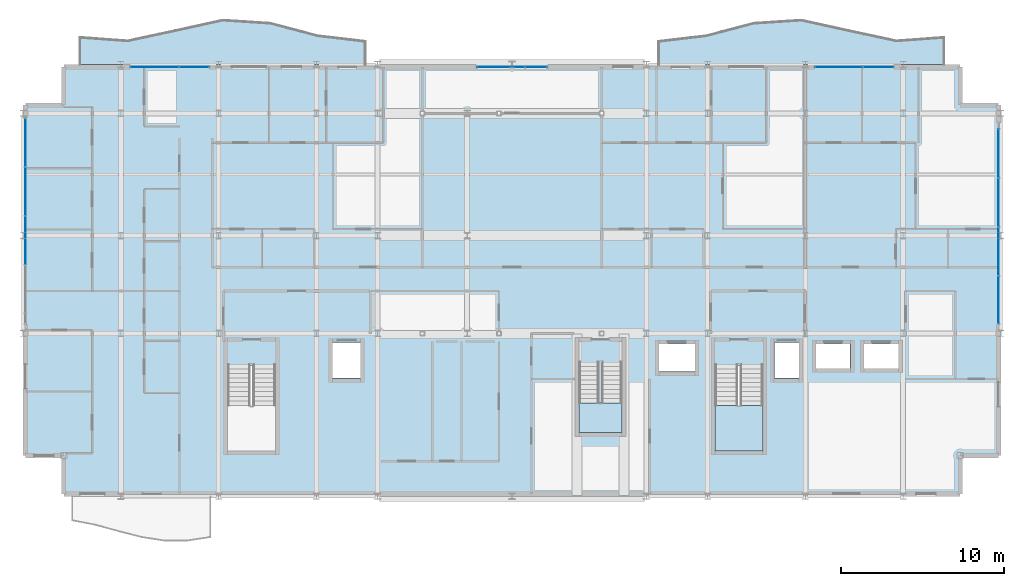
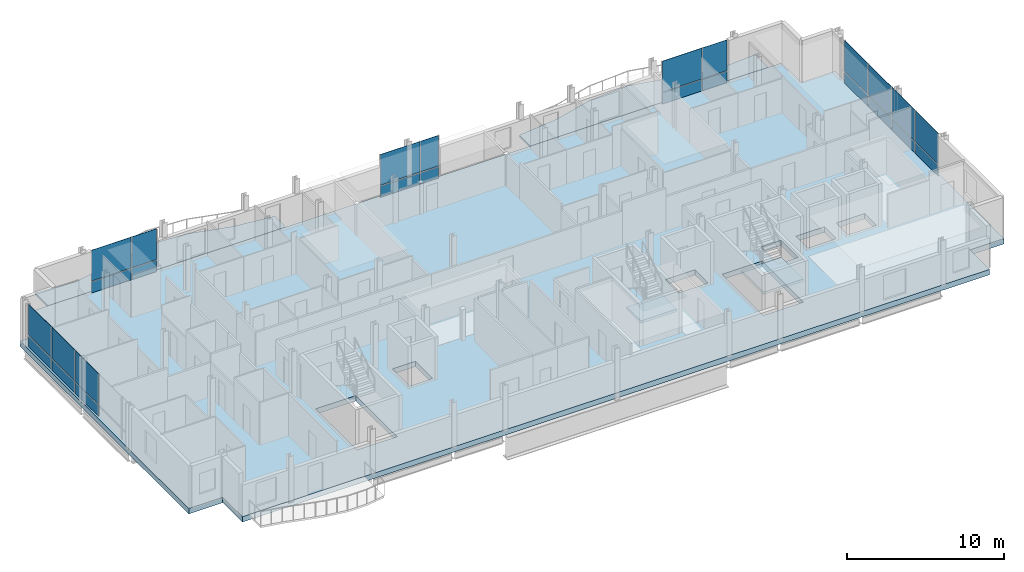
# One storey, part 22 of 35: 26 plates, 5 slabs, 7 elements without a shape of their own.
"""IFC4 building model written with IfcOpenShell, lengths in metres."""

import ifcopenshell
import ifcopenshell.guid

model = None  # the IFC model being written
_history = None  # IfcOwnerHistory: only IFC2X3 demands one
_inside = {}  # id of a spatial element -> (the spatial element, [elements in it])
_under = {}  # id of a project, library or spatial element -> (it, [spatial elements below it])
_declared = {}  # id of a project -> (the project, [libraries it declares])
_typed = {}  # id of a type object -> (the type object, [elements of that type])
_made_of = {}  # id of a material, layer set ... -> (it, [elements and type objects made of it])


def new_model(schema):
    """Start an empty IFC model of exactly this schema.

    Asked for "IFC4X3", IfcOpenShell would pick the latest addendum, in which some entities
    have other attributes; the version numbers below select the first issue.
    IFC2X3 requires an IfcOwnerHistory on every rooted entity: one is made here for all.
    """
    global model, _history
    if schema == "IFC4X3":
        model = ifcopenshell.file(schema_version=(4, 3, 0, 0))
    else:
        model = ifcopenshell.file(schema=schema)
    _inside.clear()
    _under.clear()
    _declared.clear()
    _typed.clear()
    _made_of.clear()
    _history = None
    if model.schema == "IFC2X3":
        org = make("IfcOrganization", Name="unknown")
        user = make(
            "IfcPersonAndOrganization",
            ThePerson=make("IfcPerson", FamilyName="unknown"),
            TheOrganization=org,
        )
        app = make(
            "IfcApplication",
            ApplicationDeveloper=org,
            Version="unknown",
            ApplicationFullName="unknown",
            ApplicationIdentifier="unknown",
        )
        _history = make(
            "IfcOwnerHistory",
            OwningUser=user,
            OwningApplication=app,
            ChangeAction="ADDED",
            CreationDate=0,
        )
    return model


def make(cls, **values):
    """One entity of the class cls with the attributes given. An attribute that is None is left unset."""
    return model.create_entity(
        cls, **{name: value for name, value in values.items() if value is not None}
    )


def rooted(cls, **values):
    """An entity with a GlobalId (a new one), such as an element, a storey or a relation."""
    return make(cls, GlobalId=ifcopenshell.guid.new(), OwnerHistory=_history, **values)


def si_unit(unit_type, name, prefix=None):
    """IfcSIUnit, for example si_unit("LENGTHUNIT", "METRE", prefix="MILLI")."""
    return make("IfcSIUnit", UnitType=unit_type, Prefix=prefix, Name=name)


def assignment(units):
    """IfcUnitAssignment: the units of a project."""
    return None if units is None else make("IfcUnitAssignment", Units=units)


def point(xyz):
    """IfcCartesianPoint."""
    return None if xyz is None else make("IfcCartesianPoint", Coordinates=xyz)


def direction(xyz):
    """IfcDirection."""
    return None if xyz is None else make("IfcDirection", DirectionRatios=xyz)


def frame(location, z_axis=None, x_axis=None):
    """IfcAxis2Placement3D, a coordinate frame: its origin and axes. An axis left out is left unset."""
    return make(
        "IfcAxis2Placement3D",
        Location=point(location),
        Axis=direction(z_axis),
        RefDirection=direction(x_axis),
    )


def frame_2d(location, x_axis=None):
    """IfcAxis2Placement2D, a coordinate frame in the plane: its origin and x axis."""
    return make(
        "IfcAxis2Placement2D", Location=point(location), RefDirection=direction(x_axis)
    )


def origin():
    """The frame at (0, 0, 0) with its axes left unset."""
    return frame((0.0, 0.0, 0.0))


def origin_2d():
    """The frame at (0, 0) in the plane with its x axis left unset."""
    return frame_2d((0.0, 0.0))


def place(relative_to, where):
    """IfcLocalPlacement: puts the frame where relative to a parent placement (None: the world)."""
    return make(
        "IfcLocalPlacement", PlacementRelTo=relative_to, RelativePlacement=where
    )


def context(
    kind, dimensions, precision=None, world=None, true_north=None, identifier=None
):
    """IfcGeometricRepresentationContext, for example the 3D "Model" context."""
    return make(
        "IfcGeometricRepresentationContext",
        ContextIdentifier=identifier,
        ContextType=kind,
        CoordinateSpaceDimension=dimensions,
        Precision=precision,
        WorldCoordinateSystem=world,
        TrueNorth=true_north,
    )


def subcontext(parent, identifier, kind, view, scale=None):
    """IfcGeometricRepresentationSubContext, for example "Body" below "Model"."""
    return make(
        "IfcGeometricRepresentationSubContext",
        ContextIdentifier=identifier,
        ContextType=kind,
        ParentContext=parent,
        TargetScale=scale,
        TargetView=view,
    )


def project(units=None, contexts=None):
    """IfcProject with its units and contexts."""
    return rooted(
        "IfcProject",
        Name="project",
        RepresentationContexts=contexts,
        UnitsInContext=assignment(units),
    )


def spatial(cls, under=None, at=None, **own):
    """A site, building, storey or space (cls), placed at a placement, below another one or the project."""
    s = rooted(cls, ObjectPlacement=at, **own)
    if under is not None:
        _under.setdefault(under.id(), (under, []))[1].append(s)
    return s


def polyline(points):
    """IfcPolyline through the points."""
    return make("IfcPolyline", Points=[point(p) for p in points])


def profile(cls, at=None, kind="AREA", **sizes):
    """A parametric profile (cls). Its sizes go by their IFC names, for example OverallWidth=200.0."""
    return make(cls, ProfileType=kind, Position=at, **sizes)


def rectangle(**sizes):
    """IfcRectangleProfileDef."""
    return profile("IfcRectangleProfileDef", **sizes)


def outline(outer, holes=None, kind="AREA"):
    """IfcArbitraryClosedProfileDef: a profile drawn as a closed curve; with holes, ...WithVoids."""
    if holes is None:
        return make("IfcArbitraryClosedProfileDef", ProfileType=kind, OuterCurve=outer)
    return make(
        "IfcArbitraryProfileDefWithVoids",
        ProfileType=kind,
        OuterCurve=outer,
        InnerCurves=holes,
    )


def extrude(swept, where, along, depth):
    """IfcExtrudedAreaSolid: the profile swept, set in the frame where, extruded along a direction by depth."""
    return make(
        "IfcExtrudedAreaSolid",
        SweptArea=swept,
        Position=where,
        ExtrudedDirection=direction(along),
        Depth=depth,
    )


def shape(context_of_items, identifier, shape_type, items):
    """IfcShapeRepresentation: the items that make up one representation, for example the "Body"."""
    return make(
        "IfcShapeRepresentation",
        ContextOfItems=context_of_items,
        RepresentationIdentifier=identifier,
        RepresentationType=shape_type,
        Items=items,
    )


def material(Name=None, Category=None):
    """IfcMaterial."""
    return make("IfcMaterial", Name=Name, Category=Category)


def layer(
    of_material, thickness, ventilated=None, Name=None, Category=None, Priority=None
):
    """IfcMaterialLayer: one layer of a wall or slab, of a material (None: an air gap)."""
    return make(
        "IfcMaterialLayer",
        Material=of_material,
        LayerThickness=thickness,
        IsVentilated=ventilated,
        Name=Name,
        Category=Category,
        Priority=Priority,
    )


def layer_set(layers, Name=None):
    """IfcMaterialLayerSet."""
    return make("IfcMaterialLayerSet", MaterialLayers=layers, LayerSetName=Name)


def made_of(thing, what):
    """Note that an element or type object is made of a material, layer set ...; save() writes the relation."""
    if what is not None:
        _made_of.setdefault(what.id(), (what, []))[1].append(thing)
    return thing


def type_object(cls, material=None, **own):
    """A type object (cls), such as IfcWallType, which elements share."""
    return made_of(rooted(cls, **own), material)


def element(
    cls,
    number,
    at=None,
    inside=None,
    cuts=None,
    type_object=None,
    material=None,
    context=None,
    identifier="Body",
    shape_type=None,
    held_by="IfcProductDefinitionShape",
    body=None,
    shapes=None,
    **own,
):
    """One element of the class cls, such as IfcWall. Its Tag is "e" and its number.

    at: its placement. inside: the storey or other place that contains it. cuts: it is an
    opening in that element (IfcRelVoidsElement). A single representation is given by context,
    identifier, shape_type and body (its items); several are given by shapes. held_by: the class
    of the entity that holds the representations. save() writes the other relations.
    """
    e = rooted(cls, Tag="e%d" % number, ObjectPlacement=at, **own)
    if body is not None:
        shapes = [shape(context, identifier, shape_type, body)]
    if shapes is not None:
        e.Representation = make(held_by, Representations=shapes)
    if inside is not None:
        _inside.setdefault(inside.id(), (inside, []))[1].append(e)
    if cuts is not None:
        rooted(
            "IfcRelVoidsElement", RelatingBuildingElement=cuts, RelatedOpeningElement=e
        )
    if type_object is not None:
        _typed.setdefault(type_object.id(), (type_object, []))[1].append(e)
    return made_of(e, material)


def aggregate(whole, parts):
    """IfcRelAggregates: a whole, such as a stair, and the parts it consists of."""
    return rooted("IfcRelAggregates", RelatingObject=whole, RelatedObjects=parts)


def save(model, path):
    """Write the relations noted so far, then the file.

    IfcRelAggregates (storeys below a building ...), IfcRelContainedInSpatialStructure (elements
    in a storey), IfcRelDefinesByType, IfcRelAssociatesMaterial and IfcRelDeclares: one each for
    every whole, place, type object, material and project.
    """
    for whole, parts in _under.values():
        aggregate(whole, parts)
    for where, things in _inside.values():
        rooted(
            "IfcRelContainedInSpatialStructure",
            RelatedElements=things,
            RelatingStructure=where,
        )
    for kind, things in _typed.values():
        rooted("IfcRelDefinesByType", RelatedObjects=things, RelatingType=kind)
    for what, things in _made_of.values():
        rooted("IfcRelAssociatesMaterial", RelatedObjects=things, RelatingMaterial=what)
    for by, libraries in _declared.values():
        rooted("IfcRelDeclares", RelatingContext=by, RelatedDefinitions=libraries)
    model.write(path)


model = new_model("IFC4")

# Units and contexts
model_context = context("Model", 3, precision=1e-05, world=origin(), true_north=direction((0.0, 1.0)))
body_context = subcontext(model_context, "Body", "Model", "MODEL_VIEW")
ifc_project = project(units=[si_unit("LENGTHUNIT", "METRE"), si_unit("AREAUNIT", "SQUARE_METRE"), si_unit("VOLUMEUNIT", "CUBIC_METRE"), si_unit("PLANEANGLEUNIT", "RADIAN"), si_unit("MASSUNIT", "GRAM", prefix="KILO")], contexts=[model_context])

# Site, building, storey
site_placement = place(None, origin())
site = spatial("IfcSite", under=ifc_project, at=site_placement, CompositionType="ELEMENT")
building_placement = place(site_placement, origin())
building = spatial("IfcBuilding", under=site, at=building_placement, Name="Brevholm Reach", CompositionType="ELEMENT")
storey_placement = place(building_placement, frame((0.0, 0.0, 214.39990234375)))
storey = spatial("IfcBuildingStorey", under=building, at=storey_placement, Name="L65", CompositionType="ELEMENT", Elevation=214.39990234375)

# Curtain wall, plates
ifc_material_1 = material(Name="Dark Anodised Aluminium 6063-T6 and Solar-Control Glass", Category="aluminium")
ifc_layer_1 = layer(ifc_material_1, 0.14990234375)
ifc_layer_set_1 = layer_set([ifc_layer_1], Name="Dark Anodised Aluminium 6063-T6 and Solar-Control Glass")
curtain_wall_type = type_object("IfcCurtainWallType", Name="CW-01", PredefinedType="NOTDEFINED", material=ifc_layer_set_1)
curtain_wall_1_placement = place(storey_placement, origin())
curtain_wall_1 = element("IfcCurtainWall", 1, at=curtain_wall_1_placement, inside=storey, type_object=curtain_wall_type, Name="L65 Curtain Wall CW-01", PredefinedType="NOTDEFINED")
ifc_material_2 = material(Name="Dark Solar-Control Double-Glazed IGU Glass", Category="glass")
ifc_layer_2 = layer(ifc_material_2, 0.028076171875)
ifc_layer_set_2 = layer_set([ifc_layer_2], Name="Dark Solar-Control Double-Glazed IGU Glass")
plate_type = type_object("IfcPlateType", Name="CWP-GLZ-28", PredefinedType="CURTAIN_PANEL", material=ifc_layer_set_2)
plate_1_placement = place(storey_placement, frame((0.14990234375, 21.703857421875, 0.0), z_axis=(0.0, 0.0, 1.0), x_axis=(0.0, -1.0, 0.0)))
plate_1 = element("IfcPlate", 2, at=plate_1_placement, type_object=plate_type, Name="CP-01 Glazing Panel 1.1", PredefinedType="CURTAIN_PANEL", context=body_context, shape_type="SweptSolid", body=[
    extrude(rectangle(XDim=2.902587890625, YDim=0.028076171875, at=origin_2d()), origin(), (0.0, 0.0, 1.0), 0.867431640625),
])
plate_2_placement = place(storey_placement, frame((0.14990234375, 21.703857421875, 0.9326171875), z_axis=(0.0, 0.0, 1.0), x_axis=(0.0, -1.0, 0.0)))
plate_2 = element("IfcPlate", 3, at=plate_2_placement, type_object=plate_type, Name="CP-01 Glazing Panel 1.2", PredefinedType="CURTAIN_PANEL", context=body_context, shape_type="SweptSolid", body=[
    extrude(rectangle(XDim=2.902587890625, YDim=0.028076171875, at=origin_2d()), origin(), (0.0, 0.0, 1.0), 2.3974609375),
])
plate_3_placement = place(storey_placement, frame((0.14990234375, 18.719970703125, 0.0), z_axis=(0.0, 0.0, 1.0), x_axis=(0.0, -1.0, 0.0)))
plate_3 = element("IfcPlate", 4, at=plate_3_placement, type_object=plate_type, Name="CP-01 Glazing Panel 2.1", PredefinedType="CURTAIN_PANEL", context=body_context, shape_type="SweptSolid", body=[
    extrude(rectangle(XDim=2.93505859375, YDim=0.028076171875, at=origin_2d()), origin(), (0.0, 0.0, 1.0), 0.867431640625),
])
plate_4_placement = place(storey_placement, frame((0.14990234375, 18.719970703125, 0.9326171875), z_axis=(0.0, 0.0, 1.0), x_axis=(0.0, -1.0, 0.0)))
plate_4 = element("IfcPlate", 5, at=plate_4_placement, type_object=plate_type, Name="CP-01 Glazing Panel 2.2", PredefinedType="CURTAIN_PANEL", context=body_context, shape_type="SweptSolid", body=[
    extrude(rectangle(XDim=2.93505859375, YDim=0.028076171875, at=origin_2d()), origin(), (0.0, 0.0, 1.0), 2.3974609375),
])
plate_5_placement = place(storey_placement, frame((0.14990234375, 15.719970703125, 0.0), z_axis=(0.0, 0.0, 1.0), x_axis=(0.0, -1.0, 0.0)))
plate_5 = element("IfcPlate", 6, at=plate_5_placement, type_object=plate_type, Name="CP-01 Glazing Panel 3.1", PredefinedType="CURTAIN_PANEL", context=body_context, shape_type="SweptSolid", body=[
    extrude(rectangle(XDim=2.93505859375, YDim=0.028076171875, at=origin_2d()), origin(), (0.0, 0.0, 1.0), 0.867431640625),
])
plate_6_placement = place(storey_placement, frame((0.14990234375, 15.719970703125, 0.9326171875), z_axis=(0.0, 0.0, 1.0), x_axis=(0.0, -1.0, 0.0)))
plate_6 = element("IfcPlate", 7, at=plate_6_placement, type_object=plate_type, Name="CP-01 Glazing Panel 3.2", PredefinedType="CURTAIN_PANEL", context=body_context, shape_type="SweptSolid", body=[
    extrude(rectangle(XDim=2.93505859375, YDim=0.028076171875, at=origin_2d()), origin(), (0.0, 0.0, 1.0), 2.3974609375),
])
aggregate(curtain_wall_1, [plate_1, plate_2, plate_3, plate_4, plate_5, plate_6])

curtain_wall_2_placement = place(storey_placement, origin())
curtain_wall_2 = element("IfcCurtainWall", 8, at=curtain_wall_2_placement, inside=storey, type_object=curtain_wall_type, Name="L65 Curtain Wall CW-01", PredefinedType="NOTDEFINED")
plate_7_placement = place(storey_placement, frame((59.85009765625, 12.066162109375, 0.0), z_axis=(0.0, 0.0, 1.0), x_axis=(0.0, 1.0, 0.0)))
plate_7 = element("IfcPlate", 9, at=plate_7_placement, type_object=plate_type, Name="CP-01 Glazing Panel 1.1", PredefinedType="CURTAIN_PANEL", context=body_context, shape_type="SweptSolid", body=[
    extrude(rectangle(XDim=2.902587890625, YDim=0.028076171875, at=origin_2d()), origin(), (0.0, 0.0, 1.0), 0.867431640625),
])
plate_8_placement = place(storey_placement, frame((59.85009765625, 12.066162109375, 0.9326171875), z_axis=(0.0, 0.0, 1.0), x_axis=(0.0, 1.0, 0.0)))
plate_8 = element("IfcPlate", 10, at=plate_8_placement, type_object=plate_type, Name="CP-01 Glazing Panel 1.2", PredefinedType="CURTAIN_PANEL", context=body_context, shape_type="SweptSolid", body=[
    extrude(rectangle(XDim=2.902587890625, YDim=0.028076171875, at=origin_2d()), origin(), (0.0, 0.0, 1.0), 2.3974609375),
])
plate_9_placement = place(storey_placement, frame((59.85009765625, 15.050048828125, 0.0), z_axis=(0.0, 0.0, 1.0), x_axis=(0.0, 1.0, 0.0)))
plate_9 = element("IfcPlate", 11, at=plate_9_placement, type_object=plate_type, Name="CP-01 Glazing Panel 2.1", PredefinedType="CURTAIN_PANEL", context=body_context, shape_type="SweptSolid", body=[
    extrude(rectangle(XDim=2.93505859375, YDim=0.028076171875, at=origin_2d()), origin(), (0.0, 0.0, 1.0), 0.867431640625),
])
plate_10_placement = place(storey_placement, frame((59.85009765625, 15.050048828125, 0.9326171875), z_axis=(0.0, 0.0, 1.0), x_axis=(0.0, 1.0, 0.0)))
plate_10 = element("IfcPlate", 12, at=plate_10_placement, type_object=plate_type, Name="CP-01 Glazing Panel 2.2", PredefinedType="CURTAIN_PANEL", context=body_context, shape_type="SweptSolid", body=[
    extrude(rectangle(XDim=2.93505859375, YDim=0.028076171875, at=origin_2d()), origin(), (0.0, 0.0, 1.0), 2.3974609375),
])
plate_11_placement = place(storey_placement, frame((59.85009765625, 18.050048828125, 0.0), z_axis=(0.0, 0.0, 1.0), x_axis=(0.0, 1.0, 0.0)))
plate_11 = element("IfcPlate", 13, at=plate_11_placement, type_object=plate_type, Name="CP-01 Glazing Panel 3.1", PredefinedType="CURTAIN_PANEL", context=body_context, shape_type="SweptSolid", body=[
    extrude(rectangle(XDim=2.93505859375, YDim=0.028076171875, at=origin_2d()), origin(), (0.0, 0.0, 1.0), 0.867431640625),
])
plate_12_placement = place(storey_placement, frame((59.85009765625, 18.050048828125, 0.9326171875), z_axis=(0.0, 0.0, 1.0), x_axis=(0.0, 1.0, 0.0)))
plate_12 = element("IfcPlate", 14, at=plate_12_placement, type_object=plate_type, Name="CP-01 Glazing Panel 3.2", PredefinedType="CURTAIN_PANEL", context=body_context, shape_type="SweptSolid", body=[
    extrude(rectangle(XDim=2.93505859375, YDim=0.028076171875, at=origin_2d()), origin(), (0.0, 0.0, 1.0), 2.3974609375),
])
plate_13_placement = place(storey_placement, frame((59.85009765625, 21.050048828125, 0.0), z_axis=(0.0, 0.0, 1.0), x_axis=(0.0, 1.0, 0.0)))
plate_13 = element("IfcPlate", 15, at=plate_13_placement, type_object=plate_type, Name="CP-01 Glazing Panel 4.1", PredefinedType="CURTAIN_PANEL", context=body_context, shape_type="SweptSolid", body=[
    extrude(rectangle(XDim=2.93505859375, YDim=0.028076171875, at=origin_2d()), origin(), (0.0, 0.0, 1.0), 0.867431640625),
])
plate_14_placement = place(storey_placement, frame((59.85009765625, 21.050048828125, 0.9326171875), z_axis=(0.0, 0.0, 1.0), x_axis=(0.0, 1.0, 0.0)))
plate_14 = element("IfcPlate", 16, at=plate_14_placement, type_object=plate_type, Name="CP-01 Glazing Panel 4.2", PredefinedType="CURTAIN_PANEL", context=body_context, shape_type="SweptSolid", body=[
    extrude(rectangle(XDim=2.93505859375, YDim=0.028076171875, at=origin_2d()), origin(), (0.0, 0.0, 1.0), 2.3974609375),
])
aggregate(curtain_wall_2, [plate_7, plate_8, plate_9, plate_10, plate_11, plate_12, plate_13, plate_14])

curtain_wall_3_placement = place(storey_placement, origin())
curtain_wall_3 = element("IfcCurtainWall", 17, at=curtain_wall_3_placement, inside=storey, type_object=curtain_wall_type, Name="L65 Curtain Wall CW-01", PredefinedType="NOTDEFINED")
plate_15_placement = place(storey_placement, frame((8.066162109375, 26.35009765625, 0.0), z_axis=(0.0, 0.0, 1.0), x_axis=(1.0, 0.0, 0.0)))
plate_15 = element("IfcPlate", 18, at=plate_15_placement, type_object=plate_type, Name="CP-01 Glazing Panel 1.1", PredefinedType="CURTAIN_PANEL", context=body_context, shape_type="SweptSolid", body=[
    extrude(rectangle(XDim=2.902587890625, YDim=0.028076171875, at=origin_2d()), origin(), (0.0, 0.0, 1.0), 0.867431640625),
])
plate_16_placement = place(storey_placement, frame((8.066162109375, 26.35009765625, 0.9326171875), z_axis=(0.0, 0.0, 1.0), x_axis=(1.0, 0.0, 0.0)))
plate_16 = element("IfcPlate", 19, at=plate_16_placement, type_object=plate_type, Name="CP-01 Glazing Panel 1.2", PredefinedType="CURTAIN_PANEL", context=body_context, shape_type="SweptSolid", body=[
    extrude(rectangle(XDim=2.902587890625, YDim=0.028076171875, at=origin_2d()), origin(), (0.0, 0.0, 1.0), 2.3974609375),
])
plate_17_placement = place(storey_placement, frame((10.483642578125, 26.35009765625, 0.0), z_axis=(0.0, 0.0, 1.0), x_axis=(1.0, 0.0, 0.0)))
plate_17 = element("IfcPlate", 20, at=plate_17_placement, type_object=plate_type, Name="CP-01 Glazing Panel 2.1", PredefinedType="CURTAIN_PANEL", context=body_context, shape_type="SweptSolid", body=[
    extrude(rectangle(XDim=1.802490234375, YDim=0.028076171875, at=origin_2d()), origin(), (0.0, 0.0, 1.0), 0.867431640625),
])
plate_18_placement = place(storey_placement, frame((10.483642578125, 26.35009765625, 0.9326171875), z_axis=(0.0, 0.0, 1.0), x_axis=(1.0, 0.0, 0.0)))
plate_18 = element("IfcPlate", 21, at=plate_18_placement, type_object=plate_type, Name="CP-01 Glazing Panel 2.2", PredefinedType="CURTAIN_PANEL", context=body_context, shape_type="SweptSolid", body=[
    extrude(rectangle(XDim=1.802490234375, YDim=0.028076171875, at=origin_2d()), origin(), (0.0, 0.0, 1.0), 2.3974609375),
])
aggregate(curtain_wall_3, [plate_15, plate_16, plate_17, plate_18])

curtain_wall_4_placement = place(storey_placement, origin())
curtain_wall_4 = element("IfcCurtainWall", 22, at=curtain_wall_4_placement, inside=storey, type_object=curtain_wall_type, Name="L65 Curtain Wall CW-01", PredefinedType="NOTDEFINED")
plate_19_placement = place(storey_placement, frame((29.316162109375, 26.35009765625, 0.0), z_axis=(0.0, 0.0, 1.0), x_axis=(1.0, 0.0, 0.0)))
plate_19 = element("IfcPlate", 23, at=plate_19_placement, type_object=plate_type, Name="CP-01 Glazing Panel 1.1", PredefinedType="CURTAIN_PANEL", context=body_context, shape_type="SweptSolid", body=[
    extrude(rectangle(XDim=2.902587890625, YDim=0.028076171875, at=origin_2d()), origin(), (0.0, 0.0, 1.0), 0.867431640625),
])
plate_20_placement = place(storey_placement, frame((29.316162109375, 26.35009765625, 0.9326171875), z_axis=(0.0, 0.0, 1.0), x_axis=(1.0, 0.0, 0.0)))
plate_20 = element("IfcPlate", 24, at=plate_20_placement, type_object=plate_type, Name="CP-01 Glazing Panel 1.2", PredefinedType="CURTAIN_PANEL", context=body_context, shape_type="SweptSolid", body=[
    extrude(rectangle(XDim=2.902587890625, YDim=0.028076171875, at=origin_2d()), origin(), (0.0, 0.0, 1.0), 2.3974609375),
])
plate_21_placement = place(storey_placement, frame((31.483642578125, 26.35009765625, 0.0), z_axis=(0.0, 0.0, 1.0), x_axis=(1.0, 0.0, 0.0)))
plate_21 = element("IfcPlate", 25, at=plate_21_placement, type_object=plate_type, Name="CP-01 Glazing Panel 2.1", PredefinedType="CURTAIN_PANEL", context=body_context, shape_type="SweptSolid", body=[
    extrude(rectangle(XDim=1.302490234375, YDim=0.028076171875, at=origin_2d()), origin(), (0.0, 0.0, 1.0), 0.867431640625),
])
plate_22_placement = place(storey_placement, frame((31.483642578125, 26.35009765625, 0.9326171875), z_axis=(0.0, 0.0, 1.0), x_axis=(1.0, 0.0, 0.0)))
plate_22 = element("IfcPlate", 26, at=plate_22_placement, type_object=plate_type, Name="CP-01 Glazing Panel 2.2", PredefinedType="CURTAIN_PANEL", context=body_context, shape_type="SweptSolid", body=[
    extrude(rectangle(XDim=1.302490234375, YDim=0.028076171875, at=origin_2d()), origin(), (0.0, 0.0, 1.0), 2.3974609375),
])
aggregate(curtain_wall_4, [plate_19, plate_20, plate_21, plate_22])

curtain_wall_5_placement = place(storey_placement, origin())
curtain_wall_5 = element("IfcCurtainWall", 27, at=curtain_wall_5_placement, inside=storey, type_object=curtain_wall_type, Name="L65 Curtain Wall CW-01", PredefinedType="NOTDEFINED")
plate_23_placement = place(storey_placement, frame((50.066162109375, 26.35009765625, 0.0), z_axis=(0.0, 0.0, 1.0), x_axis=(1.0, 0.0, 0.0)))
plate_23 = element("IfcPlate", 28, at=plate_23_placement, type_object=plate_type, Name="CP-01 Glazing Panel 1.1", PredefinedType="CURTAIN_PANEL", context=body_context, shape_type="SweptSolid", body=[
    extrude(rectangle(XDim=2.902587890625, YDim=0.028076171875, at=origin_2d()), origin(), (0.0, 0.0, 1.0), 0.867431640625),
])
plate_24_placement = place(storey_placement, frame((50.066162109375, 26.35009765625, 0.9326171875), z_axis=(0.0, 0.0, 1.0), x_axis=(1.0, 0.0, 0.0)))
plate_24 = element("IfcPlate", 29, at=plate_24_placement, type_object=plate_type, Name="CP-01 Glazing Panel 1.2", PredefinedType="CURTAIN_PANEL", context=body_context, shape_type="SweptSolid", body=[
    extrude(rectangle(XDim=2.902587890625, YDim=0.028076171875, at=origin_2d()), origin(), (0.0, 0.0, 1.0), 2.3974609375),
])
plate_25_placement = place(storey_placement, frame((52.483642578125, 26.35009765625, 0.0), z_axis=(0.0, 0.0, 1.0), x_axis=(1.0, 0.0, 0.0)))
plate_25 = element("IfcPlate", 30, at=plate_25_placement, type_object=plate_type, Name="CP-01 Glazing Panel 2.1", PredefinedType="CURTAIN_PANEL", context=body_context, shape_type="SweptSolid", body=[
    extrude(rectangle(XDim=1.802490234375, YDim=0.028076171875, at=origin_2d()), origin(), (0.0, 0.0, 1.0), 0.867431640625),
])
plate_26_placement = place(storey_placement, frame((52.483642578125, 26.35009765625, 0.9326171875), z_axis=(0.0, 0.0, 1.0), x_axis=(1.0, 0.0, 0.0)))
plate_26 = element("IfcPlate", 31, at=plate_26_placement, type_object=plate_type, Name="CP-01 Glazing Panel 2.2", PredefinedType="CURTAIN_PANEL", context=body_context, shape_type="SweptSolid", body=[
    extrude(rectangle(XDim=1.802490234375, YDim=0.028076171875, at=origin_2d()), origin(), (0.0, 0.0, 1.0), 2.3974609375),
])
aggregate(curtain_wall_5, [plate_23, plate_24, plate_25, plate_26])

# Slabs
ifc_material_3 = material(Name="Precast Concrete C45/55", Category="concrete")
ifc_layer_3 = layer(ifc_material_3, 0.14990234375)
ifc_layer_set_3 = layer_set([ifc_layer_3], Name="Precast Concrete C45/55")
slab_type_1 = type_object("IfcSlabType", Name="SLB-BAL-150", PredefinedType="FLOOR", material=ifc_layer_set_3)
slab_1_placement = place(storey_placement, frame((0.0, 0.0, -0.14990234375)))
element("IfcSlab", 32, at=slab_1_placement, inside=storey, type_object=slab_type_1, Name="L65 Rippling External Balcony NE", PredefinedType="FLOOR", context=body_context, shape_type="SweptSolid", body=[
    extrude(outline(polyline([(39.0, 26.5), (56.5, 26.5), (56.5, 28.150146484375), (53.583251953125, 27.936767578125), (50.666748046875, 28.563232421875), (47.75, 29.205078125), (44.833251953125, 29.017822265625), (41.916748046875, 28.247802734375), (39.0, 27.908203125), (39.0, 26.5)])), origin(), (0.0, 0.0, 1.0), 0.14990234375),
])
slab_2_placement = place(storey_placement, frame((0.0, 0.0, -0.14990234375)))
element("IfcSlab", 33, at=slab_2_placement, inside=storey, type_object=slab_type_1, Name="L65 Rippling External Balcony NW", PredefinedType="FLOOR", context=body_context, shape_type="SweptSolid", body=[
    extrude(outline(polyline([(3.5, 26.5), (21.0, 26.5), (21.0, 27.908203125), (18.083251953125, 28.247802734375), (15.166748046875, 29.017822265625), (12.25, 29.205078125), (9.333251953125, 28.563232421875), (6.416748046875, 27.936767578125), (3.5, 28.150146484375), (3.5, 26.5)])), origin(), (0.0, 0.0, 1.0), 0.14990234375),
])

# Stair, slab
ifc_material_4 = material(Name="Precast Concrete C40/50", Category="concrete")
stair_type_1 = type_object("IfcStairType", Name="STR-ESC-1400", PredefinedType="DOUBLE_RETURN_STAIR", material=ifc_material_4)
stair_1_placement = place(storey_placement, origin())
stair_1 = element("IfcStair", 34, at=stair_1_placement, inside=storey, type_object=stair_type_1, Name="L65 ST-2", PredefinedType="DOUBLE_RETURN_STAIR")
ifc_material_5 = material(Name="Concrete C40/50", Category="concrete")
ifc_layer_4 = layer(ifc_material_5, 0.199951171875)
ifc_layer_set_4 = layer_set([ifc_layer_4], Name="Concrete C40/50")
slab_type_2 = type_object("IfcSlabType", Name="SLB-LND-200", PredefinedType="LANDING", material=ifc_layer_set_4)
slab_3_placement = place(storey_placement, frame((0.0, 0.0, 1.60009765625)))
slab_3 = element("IfcSlab", 35, at=slab_3_placement, type_object=slab_type_2, Name="ST-2 landing 1", PredefinedType="LANDING", context=body_context, shape_type="SweptSolid", body=[
    extrude(outline(polyline([(42.449951171875, 5.580078125), (42.449951171875, 2.780029296875), (45.39990234375, 2.780029296875), (45.39990234375, 5.580078125), (42.449951171875, 5.580078125)])), origin(), (0.0, 0.0, 1.0), 0.199951171875),
])
aggregate(stair_1, [slab_3])

ifc_material_6 = material(Name="Precast Concrete C40/50", Category="concrete")
stair_type_2 = type_object("IfcStairType", Name="STR-ESC-1250", PredefinedType="DOUBLE_RETURN_STAIR", material=ifc_material_6)
stair_2_placement = place(storey_placement, origin())
stair_2 = element("IfcStair", 36, at=stair_2_placement, inside=storey, type_object=stair_type_2, Name="L65 ST-3", PredefinedType="DOUBLE_RETURN_STAIR")
slab_4_placement = place(storey_placement, frame((0.0, 0.0, 1.60009765625)))
slab_4 = element("IfcSlab", 37, at=slab_4_placement, type_object=slab_type_2, Name="ST-3 landing 1", PredefinedType="LANDING", context=body_context, shape_type="SweptSolid", body=[
    extrude(outline(polyline([(34.10009765625, 5.72998046875), (34.10009765625, 3.919921875), (36.75, 3.919921875), (36.75, 5.72998046875), (34.10009765625, 5.72998046875)])), origin(), (0.0, 0.0, 1.0), 0.199951171875),
])
aggregate(stair_2, [slab_4])

# Slab
ifc_material_7 = material(Name="Concrete C50/60", Category="concrete")
ifc_layer_5 = layer(ifc_material_7, 0.419921875)
ifc_layer_set_5 = layer_set([ifc_layer_5], Name="Concrete C50/60")
slab_type_3 = type_object("IfcSlabType", Name="SLB-TRF-420", PredefinedType="FLOOR", material=ifc_layer_set_5)
slab_5_placement = place(storey_placement, frame((0.0, 0.0, -0.419921875)))
element("IfcSlab", 38, at=slab_5_placement, inside=storey, type_object=slab_type_3, Name="L65 Suspended Floor Slab (main)", PredefinedType="FLOOR", context=body_context, shape_type="SweptSolid", body=[
    extrude(outline(polyline([(2.5, 0.0), (57.5, 0.0), (57.5, 2.5), (60.0, 2.5), (60.0, 24.0), (57.5, 24.0), (57.5, 26.5), (2.5, 26.5), (2.5, 24.0), (0.0, 24.0), (0.0, 2.5), (2.5, 2.5), (2.5, 0.0)]), holes=[polyline([(12.550048828125, 2.780029296875), (15.5, 2.780029296875), (15.5, 8.044921875), (12.550048828125, 8.044921875), (12.550048828125, 2.780029296875)]), polyline([(42.449951171875, 2.780029296875), (45.39990234375, 2.780029296875), (45.39990234375, 8.044921875), (42.449951171875, 8.044921875), (42.449951171875, 2.780029296875)]), polyline([(19.0, 7.25), (20.699951171875, 7.25), (20.699951171875, 9.449951171875), (19.0, 9.449951171875), (19.0, 7.25)]), polyline([(46.10009765625, 7.25), (47.60009765625, 7.25), (47.60009765625, 9.449951171875), (46.10009765625, 9.449951171875), (46.10009765625, 7.25)]), polyline([(39.02001953125, 7.64990234375), (41.219970703125, 7.64990234375), (41.219970703125, 9.35009765625), (39.02001953125, 9.35009765625), (39.02001953125, 7.64990234375)]), polyline([(48.64990234375, 7.85009765625), (50.75, 7.85009765625), (50.75, 9.35009765625), (48.64990234375, 9.35009765625), (48.64990234375, 7.85009765625)]), polyline([(51.60009765625, 7.85009765625), (53.699951171875, 7.85009765625), (53.699951171875, 9.35009765625), (51.60009765625, 9.35009765625), (51.60009765625, 7.85009765625)])]), origin(), (0.0, 0.0, 1.0), 0.419921875),
])

save(model, "model.ifc")
